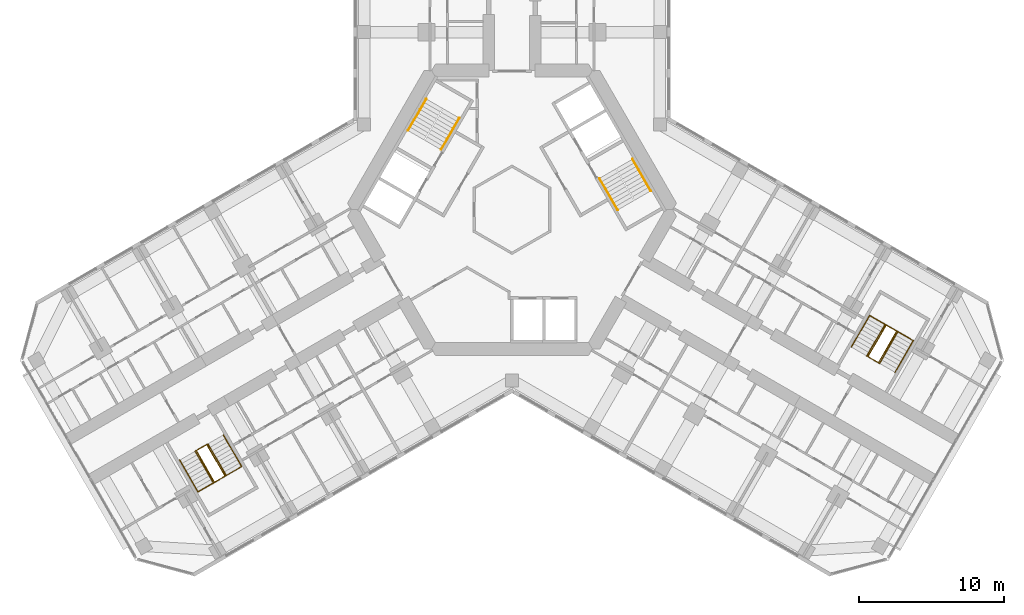
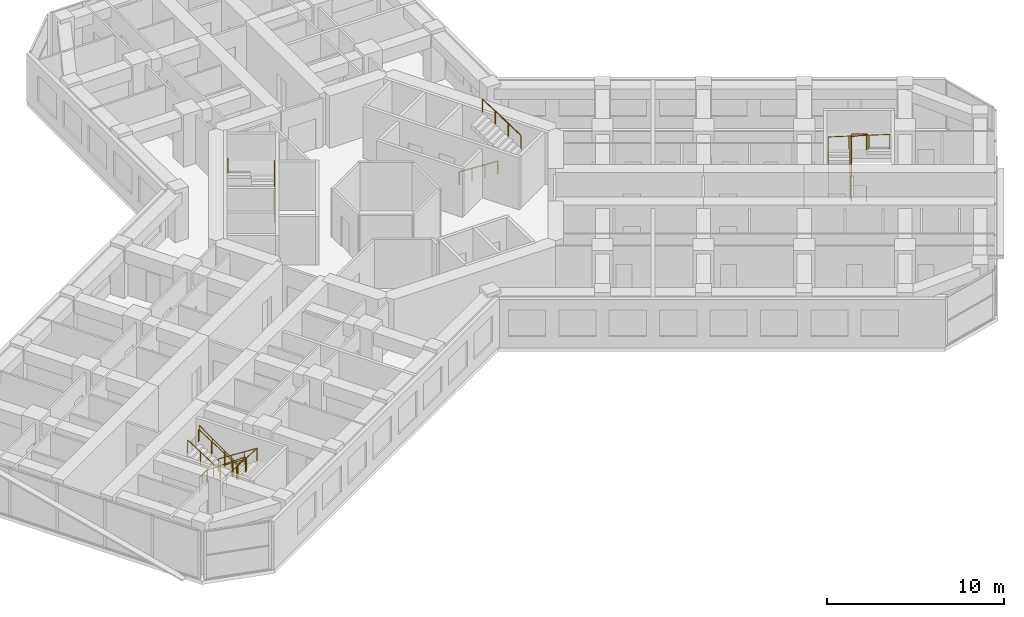
# One storey, part 19 of 19: 10 railings.
"""IFC4 building model written with IfcOpenShell, lengths in metres."""

from ifc_helpers import new_model, si_unit, direction, frame, origin, origin_2d, place, context, subcontext, project, spatial, circle, extrude, material, type_object, element, save


model = new_model("IFC4")

# Units and contexts
model_context = context("Model", 3, precision=1e-05, world=origin(), true_north=direction((0.0, 1.0)))
body_context = subcontext(model_context, "Body", "Model", "MODEL_VIEW")
ifc_project = project(units=[si_unit("LENGTHUNIT", "METRE"), si_unit("AREAUNIT", "SQUARE_METRE"), si_unit("VOLUMEUNIT", "CUBIC_METRE"), si_unit("PLANEANGLEUNIT", "RADIAN"), si_unit("MASSUNIT", "GRAM", prefix="KILO")], contexts=[model_context])

# Site, building, storey
site_placement = place(None, origin())
site = spatial("IfcSite", under=ifc_project, at=site_placement, CompositionType="ELEMENT")
building_placement = place(site_placement, origin())
building = spatial("IfcBuilding", under=site, at=building_placement, Name="Kosmar Iwan School Tower", CompositionType="ELEMENT")
storey_placement = place(building_placement, frame((0.0, 0.0, 149.0)))
storey = spatial("IfcBuildingStorey", under=building, at=storey_placement, Name="L37", CompositionType="ELEMENT", Elevation=149.0)

# Railings
ifc_material_1 = material(Name="Black steel", Category="steel")
railing_type_1 = type_object("IfcRailingType", Name="Stair handrail 900", PredefinedType="HANDRAIL", material=ifc_material_1)
railing_1_placement = place(storey_placement, frame((-4.89453125, 4.142333984375, 0.179931640625)))
element("IfcRailing", 1, at=railing_1_placement, inside=storey, type_object=railing_type_1, Name="Handrail ST2 flight 1", PredefinedType="HANDRAIL", context=body_context, shape_type="SweptSolid", body=[
    extrude(circle(Radius=0.02392578125, at=origin_2d()), frame((0.0, 0.0, 0.8759765625), z_axis=(0.420584145978, 0.728463801763, 0.540785970299), x_axis=(-0.866022637375, 0.500004791531, 0.0)), (0.0, 0.0, 1.0), 2.995849609375),
    extrude(circle(Radius=0.02099609375, at=origin_2d()), origin(), (0.0, 0.0, 1.0), 0.851806640625),
    extrude(circle(Radius=0.02099609375, at=origin_2d()), frame((0.419921875, 0.7275390625, 0.5400390625)), (0.0, 0.0, 1.0), 0.851806640625),
    extrude(circle(Radius=0.02099609375, at=origin_2d()), frame((0.840087890625, 1.454833984375, 1.080078125)), (0.0, 0.0, 1.0), 0.851806640625),
    extrude(circle(Radius=0.02099609375, at=origin_2d()), frame((1.260009765625, 2.182373046875, 1.6201171875)), (0.0, 0.0, 1.0), 0.851806640625),
])
railing_2_placement = place(storey_placement, frame((-5.912353515625, 7.6396484375, 1.97998046875)))
element("IfcRailing", 2, at=railing_2_placement, inside=storey, type_object=railing_type_1, Name="Handrail ST2 flight 2", PredefinedType="HANDRAIL", context=body_context, shape_type="SweptSolid", body=[
    extrude(circle(Radius=0.02392578125, at=origin_2d()), frame((0.0, 0.0, 0.8759765625), z_axis=(-0.420584145978, -0.728463801763, 0.540785970299), x_axis=(0.866022637375, -0.500004791531, 0.0)), (0.0, 0.0, 1.0), 2.995849609375),
    extrude(circle(Radius=0.02099609375, at=origin_2d()), origin(), (0.0, 0.0, 1.0), 0.851806640625),
    extrude(circle(Radius=0.02099609375, at=origin_2d()), frame((-0.419921875, -0.7275390625, 0.5400390625)), (0.0, 0.0, 1.0), 0.851806640625),
    extrude(circle(Radius=0.02099609375, at=origin_2d()), frame((-0.840087890625, -1.454833984375, 1.080078125)), (0.0, 0.0, 1.0), 0.851806640625),
    extrude(circle(Radius=0.02099609375, at=origin_2d()), frame((-1.260009765625, -2.182373046875, 1.6201171875)), (0.0, 0.0, 1.0), 0.851806640625),
])
railing_3_placement = place(storey_placement, frame((6.03466796875, 2.167724609375, 0.179931640625)))
element("IfcRailing", 3, at=railing_3_placement, inside=storey, type_object=railing_type_1, Name="Handrail ST1 flight 1", PredefinedType="HANDRAIL", context=body_context, shape_type="SweptSolid", body=[
    extrude(circle(Radius=0.02392578125, at=origin_2d()), frame((0.0, 0.0, 0.8759765625), z_axis=(0.420584145978, -0.728463801763, 0.540785970299), x_axis=(0.866022637375, 0.500004791531, 0.0)), (0.0, 0.0, 1.0), 2.995849609375),
    extrude(circle(Radius=0.02099609375, at=origin_2d()), origin(), (0.0, 0.0, 1.0), 0.851806640625),
    extrude(circle(Radius=0.02099609375, at=origin_2d()), frame((0.419921875, -0.7275390625, 0.5400390625)), (0.0, 0.0, 1.0), 0.851806640625),
    extrude(circle(Radius=0.02099609375, at=origin_2d()), frame((0.840087890625, -1.454833984375, 1.080078125)), (0.0, 0.0, 1.0), 0.851806640625),
    extrude(circle(Radius=0.02099609375, at=origin_2d()), frame((1.260009765625, -2.182373046875, 1.6201171875)), (0.0, 0.0, 1.0), 0.851806640625),
])
railing_4_placement = place(storey_placement, frame((9.572265625, 1.30029296875, 1.97998046875)))
element("IfcRailing", 4, at=railing_4_placement, inside=storey, type_object=railing_type_1, Name="Handrail ST1 flight 2", PredefinedType="HANDRAIL", context=body_context, shape_type="SweptSolid", body=[
    extrude(circle(Radius=0.02392578125, at=origin_2d()), frame((0.0, 0.0, 0.8759765625), z_axis=(-0.420584145978, 0.728463801763, 0.540785970299), x_axis=(-0.866022637375, -0.500004791531, 0.0)), (0.0, 0.0, 1.0), 2.995849609375),
    extrude(circle(Radius=0.02099609375, at=origin_2d()), origin(), (0.0, 0.0, 1.0), 0.851806640625),
    extrude(circle(Radius=0.02099609375, at=origin_2d()), frame((-0.419921875, 0.7275390625, 0.5400390625)), (0.0, 0.0, 1.0), 0.851806640625),
    extrude(circle(Radius=0.02099609375, at=origin_2d()), frame((-0.840087890625, 1.454833984375, 1.080078125)), (0.0, 0.0, 1.0), 0.851806640625),
    extrude(circle(Radius=0.02099609375, at=origin_2d()), frame((-1.260009765625, 2.182373046875, 1.6201171875)), (0.0, 0.0, 1.0), 0.851806640625),
])
railing_5_placement = place(storey_placement, frame((-19.9091796875, -15.5361328125, 0.179931640625)))
element("IfcRailing", 5, at=railing_5_placement, inside=storey, type_object=railing_type_1, Name="Handrail stair WS2 L37 wall side", PredefinedType="HANDRAIL", context=body_context, shape_type="SweptSolid", body=[
    extrude(circle(Radius=0.02392578125, at=origin_2d()), frame((0.0, 0.0, 0.8759765625), z_axis=(0.420517065106, -0.728488768407, 0.540804504659), x_axis=(0.866064587494, 0.499932125682, 0.0)), (0.0, 0.0, 1.0), 2.995849609375),
    extrude(circle(Radius=0.02392578125, at=origin_2d()), frame((1.259765625, -2.182373046875, 2.49609375), z_axis=(-0.864864352349, -0.499342858003, 0.051636829851), x_axis=(0.500009906705, -0.86601968407, 0.0)), (0.0, 0.0, 1.0), 3.484619140625),
    extrude(circle(Radius=0.02392578125, at=origin_2d()), frame((-1.75390625, -3.92236328125, 2.67578125), z_axis=(-0.420584145978, 0.728463801763, 0.540785970299), x_axis=(-0.866022637375, -0.500004791531, 0.0)), (0.0, 0.0, 1.0), 2.995849609375),
    extrude(circle(Radius=0.02099609375, at=origin_2d()), origin(), (0.0, 0.0, 1.0), 0.851806640625),
    extrude(circle(Radius=0.02099609375, at=origin_2d()), frame((0.419921875, -0.7275390625, 0.5400390625)), (0.0, 0.0, 1.0), 0.851806640625),
    extrude(circle(Radius=0.02099609375, at=origin_2d()), frame((0.83984375, -1.454833984375, 1.080078125)), (0.0, 0.0, 1.0), 0.851806640625),
    extrude(circle(Radius=0.02099609375, at=origin_2d()), frame((1.259765625, -2.182373046875, 1.6201171875)), (0.0, 0.0, 1.0), 0.851806640625),
    extrude(circle(Radius=0.02099609375, at=origin_2d()), frame((0.255126953125, -2.762451171875, 1.68017578125)), (0.0, 0.0, 1.0), 0.851806640625),
    extrude(circle(Radius=0.02099609375, at=origin_2d()), frame((-0.749267578125, -3.34228515625, 1.739990234375)), (0.0, 0.0, 1.0), 0.851806640625),
    extrude(circle(Radius=0.02099609375, at=origin_2d()), frame((-1.75390625, -3.92236328125, 1.800048828125)), (0.0, 0.0, 1.0), 0.851806640625),
    extrude(circle(Radius=0.02099609375, at=origin_2d()), frame((-2.173828125, -3.19482421875, 2.340087890625)), (0.0, 0.0, 1.0), 0.851806640625),
    extrude(circle(Radius=0.02099609375, at=origin_2d()), frame((-2.593994140625, -2.467529296875, 2.880126953125)), (0.0, 0.0, 1.0), 0.851806640625),
    extrude(circle(Radius=0.02099609375, at=origin_2d()), frame((-3.013916015625, -1.739990234375, 3.420166015625)), (0.0, 0.0, 1.0), 0.851806640625),
])
railing_6_placement = place(storey_placement, frame((-20.974609375, -16.151123046875, 0.179931640625)))
element("IfcRailing", 6, at=railing_6_placement, inside=storey, type_object=railing_type_1, Name="Handrail stair WS2 L37 well side", PredefinedType="HANDRAIL", context=body_context, shape_type="SweptSolid", body=[
    extrude(circle(Radius=0.02392578125, at=origin_2d()), frame((0.0, 0.0, 0.8759765625), z_axis=(0.420584145978, -0.728463801763, 0.540785970299), x_axis=(0.866022637375, 0.500004791531, 0.0)), (0.0, 0.0, 1.0), 2.995849609375),
    extrude(circle(Radius=0.02392578125, at=origin_2d()), frame((1.260009765625, -2.182373046875, 2.49609375), z_axis=(-0.852841519511, -0.492422867401, 0.173726976197), x_axis=(0.500026340207, -0.866010195725, 0.0)), (0.0, 0.0, 1.0), 1.03564453125),
    extrude(circle(Radius=0.02392578125, at=origin_2d()), frame((0.376708984375, -2.6923828125, 2.67578125), z_axis=(-0.420584145978, 0.728463801763, 0.540785970299), x_axis=(-0.866022637375, -0.500004791531, 0.0)), (0.0, 0.0, 1.0), 2.995849609375),
    extrude(circle(Radius=0.02099609375, at=origin_2d()), origin(), (0.0, 0.0, 1.0), 0.851806640625),
    extrude(circle(Radius=0.02099609375, at=origin_2d()), frame((0.419921875, -0.7275390625, 0.5400390625)), (0.0, 0.0, 1.0), 0.851806640625),
    extrude(circle(Radius=0.02099609375, at=origin_2d()), frame((0.840087890625, -1.454833984375, 1.080078125)), (0.0, 0.0, 1.0), 0.851806640625),
    extrude(circle(Radius=0.02099609375, at=origin_2d()), frame((1.260009765625, -2.182373046875, 1.6201171875)), (0.0, 0.0, 1.0), 0.851806640625),
    extrude(circle(Radius=0.02099609375, at=origin_2d()), frame((0.376708984375, -2.6923828125, 1.800048828125)), (0.0, 0.0, 1.0), 0.851806640625),
    extrude(circle(Radius=0.02099609375, at=origin_2d()), frame((-0.043212890625, -1.96484375, 2.340087890625)), (0.0, 0.0, 1.0), 0.851806640625),
    extrude(circle(Radius=0.02099609375, at=origin_2d()), frame((-0.46337890625, -1.237548828125, 2.880126953125)), (0.0, 0.0, 1.0), 0.851806640625),
    extrude(circle(Radius=0.02099609375, at=origin_2d()), frame((-0.88330078125, -0.510009765625, 3.420166015625)), (0.0, 0.0, 1.0), 0.851806640625),
])
railing_7_placement = place(storey_placement, frame((23.4091796875, -9.473876953125, 0.179931640625)))
element("IfcRailing", 7, at=railing_7_placement, inside=storey, type_object=railing_type_1, Name="Handrail stair WS3 L37 wall side", PredefinedType="HANDRAIL", context=body_context, shape_type="SweptSolid", body=[
    extrude(circle(Radius=0.02392578125, at=origin_2d()), frame((0.0, 0.0, 0.8759765625), z_axis=(0.420584145978, 0.728463801763, 0.540785970299), x_axis=(-0.866022637375, 0.500004791531, 0.0)), (0.0, 0.0, 1.0), 2.995849609375),
    extrude(circle(Radius=0.02392578125, at=origin_2d()), frame((1.260009765625, 2.182373046875, 2.49609375), z_axis=(0.864882007433, -0.499312601618, 0.051633701051), x_axis=(0.499979528911, 0.866037222451, 0.0)), (0.0, 0.0, 1.0), 3.48486328125),
    extrude(circle(Radius=0.02392578125, at=origin_2d()), frame((4.27392578125, 0.4423828125, 2.67578125), z_axis=(-0.420584145978, -0.728463801763, 0.540785970299), x_axis=(0.866022637375, -0.500004791531, 0.0)), (0.0, 0.0, 1.0), 2.995849609375),
    extrude(circle(Radius=0.02099609375, at=origin_2d()), origin(), (0.0, 0.0, 1.0), 0.851806640625),
    extrude(circle(Radius=0.02099609375, at=origin_2d()), frame((0.419921875, 0.7275390625, 0.5400390625)), (0.0, 0.0, 1.0), 0.851806640625),
    extrude(circle(Radius=0.02099609375, at=origin_2d()), frame((0.840087890625, 1.454833984375, 1.080078125)), (0.0, 0.0, 1.0), 0.851806640625),
    extrude(circle(Radius=0.02099609375, at=origin_2d()), frame((1.260009765625, 2.182373046875, 1.6201171875)), (0.0, 0.0, 1.0), 0.851806640625),
    extrude(circle(Radius=0.02099609375, at=origin_2d()), frame((2.2646484375, 1.602294921875, 1.68017578125)), (0.0, 0.0, 1.0), 0.851806640625),
    extrude(circle(Radius=0.02099609375, at=origin_2d()), frame((3.269287109375, 1.0224609375, 1.739990234375)), (0.0, 0.0, 1.0), 0.851806640625),
    extrude(circle(Radius=0.02099609375, at=origin_2d()), frame((4.27392578125, 0.4423828125, 1.800048828125)), (0.0, 0.0, 1.0), 0.851806640625),
    extrude(circle(Radius=0.02099609375, at=origin_2d()), frame((3.85400390625, -0.28515625, 2.340087890625)), (0.0, 0.0, 1.0), 0.851806640625),
    extrude(circle(Radius=0.02099609375, at=origin_2d()), frame((3.433837890625, -1.012451171875, 2.880126953125)), (0.0, 0.0, 1.0), 0.851806640625),
    extrude(circle(Radius=0.02099609375, at=origin_2d()), frame((3.013916015625, -1.739990234375, 3.420166015625)), (0.0, 0.0, 1.0), 0.851806640625),
])
railing_8_placement = place(storey_placement, frame((24.474609375, -10.0888671875, 0.179931640625)))
element("IfcRailing", 8, at=railing_8_placement, inside=storey, type_object=railing_type_1, Name="Handrail stair WS3 L37 well side", PredefinedType="HANDRAIL", context=body_context, shape_type="SweptSolid", body=[
    extrude(circle(Radius=0.02392578125, at=origin_2d()), frame((0.0, 0.0, 0.8759765625), z_axis=(0.420584145978, 0.728463801763, 0.540785970299), x_axis=(-0.866022637375, 0.500004791531, 0.0)), (0.0, 0.0, 1.0), 2.995849609375),
    extrude(circle(Radius=0.02392578125, at=origin_2d()), frame((1.260009765625, 2.182373046875, 2.49609375), z_axis=(0.852841519511, -0.492422867401, 0.173726976197), x_axis=(0.500026340207, 0.866010195725, 0.0)), (0.0, 0.0, 1.0), 1.03564453125),
    extrude(circle(Radius=0.02392578125, at=origin_2d()), frame((2.143310546875, 1.67236328125, 2.67578125), z_axis=(-0.420584145978, -0.728463801763, 0.540785970299), x_axis=(0.866022637375, -0.500004791531, 0.0)), (0.0, 0.0, 1.0), 2.995849609375),
    extrude(circle(Radius=0.02099609375, at=origin_2d()), origin(), (0.0, 0.0, 1.0), 0.851806640625),
    extrude(circle(Radius=0.02099609375, at=origin_2d()), frame((0.419921875, 0.7275390625, 0.5400390625)), (0.0, 0.0, 1.0), 0.851806640625),
    extrude(circle(Radius=0.02099609375, at=origin_2d()), frame((0.840087890625, 1.454833984375, 1.080078125)), (0.0, 0.0, 1.0), 0.851806640625),
    extrude(circle(Radius=0.02099609375, at=origin_2d()), frame((1.260009765625, 2.182373046875, 1.6201171875)), (0.0, 0.0, 1.0), 0.851806640625),
    extrude(circle(Radius=0.02099609375, at=origin_2d()), frame((2.143310546875, 1.67236328125, 1.800048828125)), (0.0, 0.0, 1.0), 0.851806640625),
    extrude(circle(Radius=0.02099609375, at=origin_2d()), frame((1.723388671875, 0.94482421875, 2.340087890625)), (0.0, 0.0, 1.0), 0.851806640625),
    extrude(circle(Radius=0.02099609375, at=origin_2d()), frame((1.30322265625, 0.217529296875, 2.880126953125)), (0.0, 0.0, 1.0), 0.851806640625),
    extrude(circle(Radius=0.02099609375, at=origin_2d()), frame((0.88330078125, -0.510009765625, 3.420166015625)), (0.0, 0.0, 1.0), 0.851806640625),
])
ifc_material_2 = material(Name="Black steel", Category="steel")
railing_type_2 = type_object("IfcRailingType", Name="Stair well guard 1100", PredefinedType="GUARDRAIL", material=ifc_material_2)
railing_9_placement = place(storey_placement, frame((-21.780029296875, -16.6162109375, 0.0)))
element("IfcRailing", 9, at=railing_9_placement, inside=storey, type_object=railing_type_2, Name="Stair WS2 L37 well guard", PredefinedType="GUARDRAIL", context=body_context, shape_type="SweptSolid", body=[
    extrude(circle(Radius=0.02392578125, at=origin_2d()), frame((0.0, 0.0, 1.076171875), z_axis=(0.865962960534, 0.500108139288, 0.0), x_axis=(-0.500108139288, 0.865962960534, 0.0)), (0.0, 0.0, 1.0), 0.840087890625),
    extrude(circle(Radius=0.02392578125, at=origin_2d()), frame((0.7275390625, 0.420166015625, 1.076171875), z_axis=(0.40686665399, -0.704704712268, 0.58124933925), x_axis=(0.866022637375, 0.500004791531, 0.0)), (0.0, 0.0, 1.0), 3.096923828125),
    extrude(circle(Radius=0.02392578125, at=origin_2d()), frame((1.987548828125, -1.76220703125, 2.8759765625), z_axis=(-0.865962960534, -0.500108139288, 0.0), x_axis=(0.500108139288, -0.865962960534, 0.0)), (0.0, 0.0, 1.0), 0.840087890625),
    extrude(circle(Radius=0.02392578125, at=origin_2d()), frame((1.260009765625, -2.182373046875, 2.8759765625), z_axis=(-0.40686665399, 0.704704712268, 0.58124933925), x_axis=(-0.866022637375, -0.500004791531, 0.0)), (0.0, 0.0, 1.0), 3.096923828125),
    extrude(circle(Radius=0.02099609375, at=origin_2d()), origin(), (0.0, 0.0, 1.0), 1.052001953125),
    extrude(circle(Radius=0.02099609375, at=origin_2d()), frame((0.7275390625, 0.420166015625, 0.0)), (0.0, 0.0, 1.0), 1.052001953125),
    extrude(circle(Radius=0.02099609375, at=origin_2d()), frame((1.1474609375, -0.307373046875, 0.60009765625)), (0.0, 0.0, 1.0), 1.052001953125),
    extrude(circle(Radius=0.02099609375, at=origin_2d()), frame((1.567626953125, -1.03466796875, 1.199951171875)), (0.0, 0.0, 1.0), 1.052001953125),
    extrude(circle(Radius=0.02099609375, at=origin_2d()), frame((1.987548828125, -1.76220703125, 1.800048828125)), (0.0, 0.0, 1.0), 1.052001953125),
    extrude(circle(Radius=0.02099609375, at=origin_2d()), frame((1.260009765625, -2.182373046875, 1.800048828125)), (0.0, 0.0, 1.0), 1.052001953125),
    extrude(circle(Radius=0.02099609375, at=origin_2d()), frame((0.840087890625, -1.454833984375, 2.400146484375)), (0.0, 0.0, 1.0), 1.052001953125),
    extrude(circle(Radius=0.02099609375, at=origin_2d()), frame((0.419921875, -0.7275390625, 3.0)), (0.0, 0.0, 1.0), 1.052001953125),
    extrude(circle(Radius=0.02099609375, at=origin_2d()), frame((0.0, 0.0, 3.60009765625)), (0.0, 0.0, 1.0), 1.052001953125),
])
railing_10_placement = place(storey_placement, frame((25.280029296875, -10.553955078125, 0.0)))
element("IfcRailing", 10, at=railing_10_placement, inside=storey, type_object=railing_type_2, Name="Stair WS3 L37 well guard", PredefinedType="GUARDRAIL", context=body_context, shape_type="SweptSolid", body=[
    extrude(circle(Radius=0.02392578125, at=origin_2d()), frame((0.0, 0.0, 1.076171875), z_axis=(-0.865962960534, 0.500108139288, 0.0), x_axis=(-0.500108139288, -0.865962960534, 0.0)), (0.0, 0.0, 1.0), 0.840087890625),
    extrude(circle(Radius=0.02392578125, at=origin_2d()), frame((-0.7275390625, 0.420166015625, 1.076171875), z_axis=(0.40686665399, 0.704704712268, 0.58124933925), x_axis=(-0.866022637375, 0.500004791531, 0.0)), (0.0, 0.0, 1.0), 3.096923828125),
    extrude(circle(Radius=0.02392578125, at=origin_2d()), frame((0.532470703125, 2.6025390625, 2.8759765625), z_axis=(0.865890253765, -0.500234013672, 0.0), x_axis=(0.500234013672, 0.865890253765, 0.0)), (0.0, 0.0, 1.0), 0.83984375),
    extrude(circle(Radius=0.02392578125, at=origin_2d()), frame((1.259765625, 2.182373046875, 2.8759765625), z_axis=(-0.406800866334, -0.70472731476, 0.58126798207), x_axis=(0.866064587494, -0.499932125682, 0.0)), (0.0, 0.0, 1.0), 3.0966796875),
    extrude(circle(Radius=0.02099609375, at=origin_2d()), origin(), (0.0, 0.0, 1.0), 1.052001953125),
    extrude(circle(Radius=0.02099609375, at=origin_2d()), frame((-0.7275390625, 0.420166015625, 0.0)), (0.0, 0.0, 1.0), 1.052001953125),
    extrude(circle(Radius=0.02099609375, at=origin_2d()), frame((-0.3076171875, 1.147705078125, 0.60009765625)), (0.0, 0.0, 1.0), 1.052001953125),
    extrude(circle(Radius=0.02099609375, at=origin_2d()), frame((0.112548828125, 1.875, 1.199951171875)), (0.0, 0.0, 1.0), 1.052001953125),
    extrude(circle(Radius=0.02099609375, at=origin_2d()), frame((0.532470703125, 2.6025390625, 1.800048828125)), (0.0, 0.0, 1.0), 1.052001953125),
    extrude(circle(Radius=0.02099609375, at=origin_2d()), frame((1.259765625, 2.182373046875, 1.800048828125)), (0.0, 0.0, 1.0), 1.052001953125),
    extrude(circle(Radius=0.02099609375, at=origin_2d()), frame((0.83984375, 1.454833984375, 2.400146484375)), (0.0, 0.0, 1.0), 1.052001953125),
    extrude(circle(Radius=0.02099609375, at=origin_2d()), frame((0.419921875, 0.7275390625, 3.0)), (0.0, 0.0, 1.0), 1.052001953125),
    extrude(circle(Radius=0.02099609375, at=origin_2d()), frame((0.0, 0.0, 3.60009765625)), (0.0, 0.0, 1.0), 1.052001953125),
])

save(model, "model.ifc")
